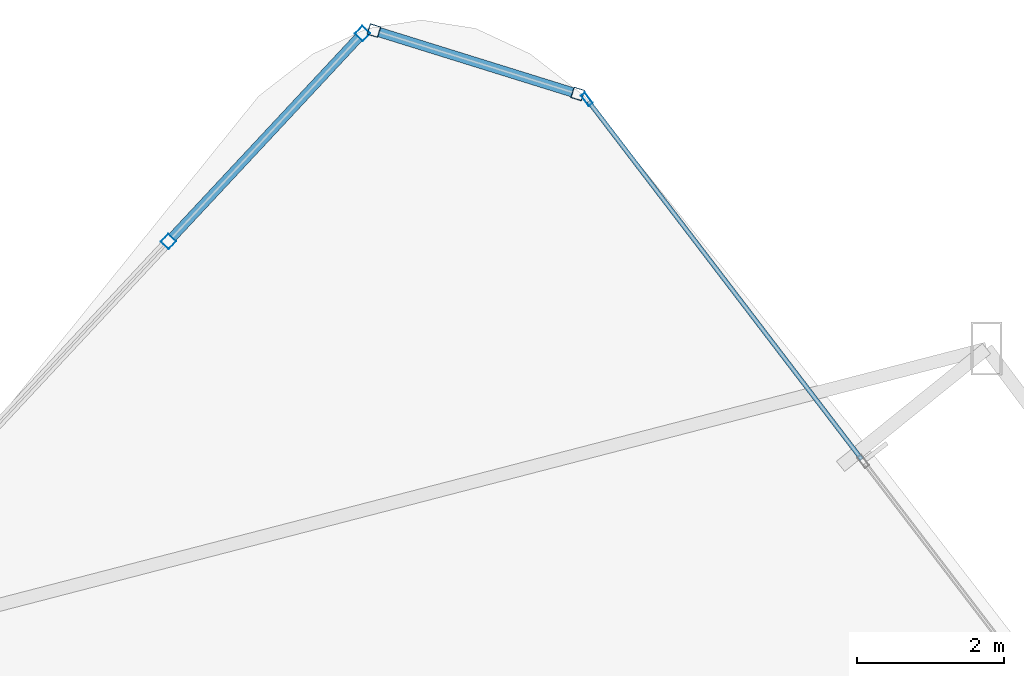
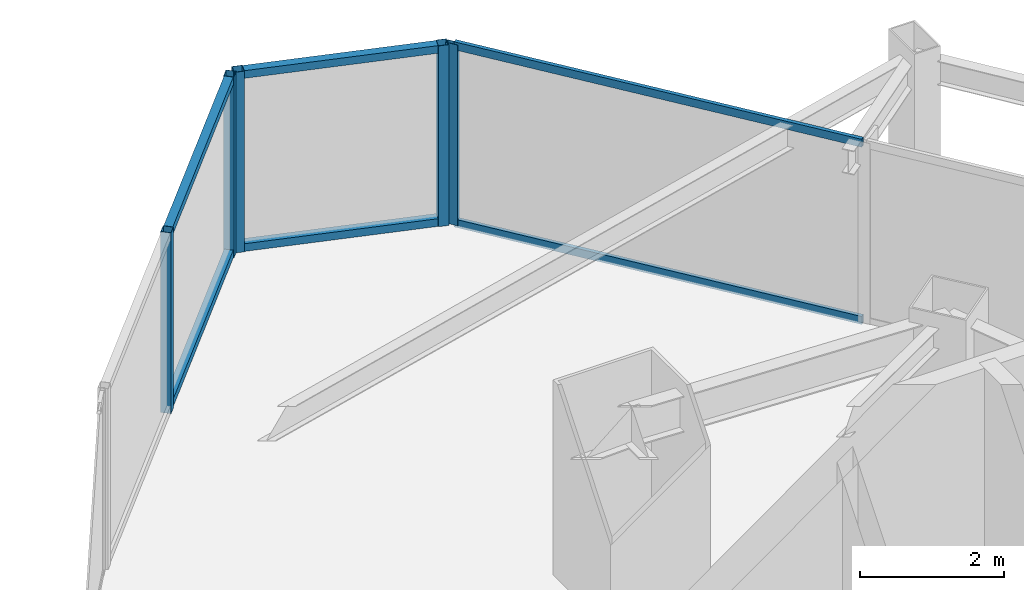
# One storey, part 24 of 34: 11 members, 3 elements without a shape of their own.
"""IFC4 building model written with IfcOpenShell, lengths in metres."""

from ifc_helpers import new_model, si_unit, direction, frame, origin, origin_2d, place, context, subcontext, project, spatial, hollow_rectangle, extrude, material, layer, layer_set, material_profile, profile_set, type_object, element, aggregate, save


model = new_model("IFC4")

# Units and contexts
model_context = context("Model", 3, precision=1e-05, world=origin(), true_north=direction((0.0, 1.0)))
body_context = subcontext(model_context, "Body", "Model", "MODEL_VIEW")
ifc_project = project(units=[si_unit("LENGTHUNIT", "METRE"), si_unit("AREAUNIT", "SQUARE_METRE"), si_unit("VOLUMEUNIT", "CUBIC_METRE"), si_unit("PLANEANGLEUNIT", "RADIAN"), si_unit("MASSUNIT", "GRAM", prefix="KILO")], contexts=[model_context])

# Site, building, storey
site_placement = place(None, origin())
site = spatial("IfcSite", under=ifc_project, at=site_placement, CompositionType="ELEMENT")
building_placement = place(site_placement, origin())
building = spatial("IfcBuilding", under=site, at=building_placement, Name="Orvanel Arch Residences", CompositionType="ELEMENT")
storey_placement = place(building_placement, frame((0.0, 0.0, 67.550048828125)))
storey = spatial("IfcBuildingStorey", under=building, at=storey_placement, Name="L18", CompositionType="ELEMENT", Elevation=67.550048828125)

# Curtain wall, members
ifc_material = material(Name="Bronze-anodised aluminium AA6063-T6", Category="aluminium")
ifc_layer_1 = layer(ifc_material, 0.18994140625)
ifc_layer_set_1 = layer_set([ifc_layer_1], Name="Bronze-anodised aluminium AA6063-T6")
curtain_wall_type_1 = type_object("IfcCurtainWallType", Name="CW5-CRN-SYS", PredefinedType="NOTDEFINED", material=ifc_layer_set_1)
curtain_wall_1_placement = place(storey_placement, origin())
curtain_wall_1 = element("IfcCurtainWall", 1, at=curtain_wall_1_placement, inside=storey, type_object=curtain_wall_type_1, Name="L18 CW5-CRN-SYS Unitised Curtain Wall", PredefinedType="NOTDEFINED")
ifc_material_profile_1 = material_profile(ifc_material, hollow_rectangle(XDim=0.14990234375, YDim=0.14990234375, WallThickness=0.0048828125, at=origin_2d()), Name="ALU150x150x5")
ifc_profile_set_1 = profile_set([ifc_material_profile_1], Name="Bronze-anodised aluminium AA6063-T6")
member_type_1 = type_object("IfcMemberType", Name="MUL-150x150", PredefinedType="MULLION", material=ifc_profile_set_1)
member_1_placement = place(storey_placement, frame((35.124267578125, 50.331298828125, 0.0), z_axis=(0.0, 0.0, 1.0), x_axis=(-0.297099736477, -0.954846451837, 0.0)))
member_1 = element("IfcMember", 2, at=member_1_placement, type_object=member_type_1, Name="CW-S5 mullion 1", PredefinedType="MULLION", context=body_context, shape_type="SweptSolid", body=[
    extrude(hollow_rectangle(XDim=0.14990234375, YDim=0.14990234375, WallThickness=0.0048828125, at=origin_2d()), origin(), (0.0, 0.0, 1.0), 3.06005859375),
])
member_2_placement = place(storey_placement, frame((32.3525390625, 51.193603515625, 0.0), z_axis=(0.0, 0.0, 1.0), x_axis=(-0.297099736477, -0.954846451837, 0.0)))
member_2 = element("IfcMember", 3, at=member_2_placement, type_object=member_type_1, Name="CW-S5 mullion 2", PredefinedType="MULLION", context=body_context, shape_type="SweptSolid", body=[
    extrude(hollow_rectangle(XDim=0.14990234375, YDim=0.14990234375, WallThickness=0.0048828125, at=origin_2d()), origin(), (0.0, 0.0, 1.0), 3.06005859375),
])

curtain_wall_2_placement = place(storey_placement, origin())
curtain_wall_2 = element("IfcCurtainWall", 4, at=curtain_wall_2_placement, inside=storey, type_object=curtain_wall_type_1, Name="L18 CW5-CRN-SYS Unitised Curtain Wall", PredefinedType="NOTDEFINED")
member_3_placement = place(storey_placement, frame((32.19677734375, 51.152099609375, 0.0), z_axis=(0.0, 0.0, 1.0), x_axis=(0.731034183828, -0.682340840105, 0.0)))
member_3 = element("IfcMember", 5, at=member_3_placement, type_object=member_type_1, Name="CW-S5 mullion 1", PredefinedType="MULLION", context=body_context, shape_type="SweptSolid", body=[
    extrude(hollow_rectangle(XDim=0.14990234375, YDim=0.14990234375, WallThickness=0.0048828125, at=origin_2d()), origin(), (0.0, 0.0, 1.0), 3.06005859375),
])
member_4_placement = place(storey_placement, frame((29.5576171875, 48.324462890625, 0.0), z_axis=(0.0, 0.0, 1.0), x_axis=(0.731034183828, -0.682340840105, 0.0)))
member_4 = element("IfcMember", 6, at=member_4_placement, type_object=member_type_1, Name="CW-S5 mullion 2", PredefinedType="MULLION", context=body_context, shape_type="SweptSolid", body=[
    extrude(hollow_rectangle(XDim=0.14990234375, YDim=0.14990234375, WallThickness=0.0048828125, at=origin_2d()), origin(), (0.0, 0.0, 1.0), 3.06005859375),
])

# Curtain wall, member
ifc_layer_2 = layer(ifc_material, 0.179931640625)
ifc_layer_set_2 = layer_set([ifc_layer_2], Name="Bronze-anodised aluminium AA6063-T6")
curtain_wall_type_2 = type_object("IfcCurtainWallType", Name="CW2-LOW-SYS", PredefinedType="NOTDEFINED", material=ifc_layer_set_2)
curtain_wall_3_placement = place(storey_placement, origin())
curtain_wall_3 = element("IfcCurtainWall", 7, at=curtain_wall_3_placement, inside=storey, type_object=curtain_wall_type_2, Name="L18 CW2-LOW-SYS Unitised Curtain Wall", PredefinedType="NOTDEFINED")
ifc_material_profile_2 = material_profile(ifc_material, hollow_rectangle(XDim=0.070068359375, YDim=0.179931640625, WallThickness=0.00439453125, at=origin_2d()), Name="ALU180x70x4.5")
ifc_profile_set_2 = profile_set([ifc_material_profile_2], Name="Bronze-anodised aluminium AA6063-T6")
member_type_2 = type_object("IfcMemberType", Name="MUL-180x70", PredefinedType="MULLION", material=ifc_profile_set_2)
member_5_placement = place(storey_placement, frame((35.248291015625, 50.25927734375, 0.0), z_axis=(0.0, 0.0, 1.0), x_axis=(-0.794898267581, -0.606742733122, 0.0)))
member_5 = element("IfcMember", 8, at=member_5_placement, type_object=member_type_2, Name="CW-S2 mullion 4", PredefinedType="MULLION", context=body_context, shape_type="SweptSolid", body=[
    extrude(hollow_rectangle(XDim=0.070068359375, YDim=0.179931640625, WallThickness=0.00439453125, at=origin_2d()), origin(), (0.0, 0.0, 1.0), 3.06005859375),
])

# Member
ifc_material_profile_3 = material_profile(ifc_material, hollow_rectangle(XDim=0.1298828125, YDim=0.1298828125, WallThickness=0.00439453125, at=origin_2d()), Name="ALU130x130x4.5")
ifc_profile_set_3 = profile_set([ifc_material_profile_3], Name="Bronze-anodised aluminium AA6063-T6")
member_type_3 = type_object("IfcMemberType", Name="TRN-130x130", PredefinedType="USERDEFINED", material=ifc_profile_set_3)
member_6_placement = place(storey_placement, frame((35.052734375, 50.353515625, 0.06494140625), z_axis=(-0.954842239685, 0.297113273541, 0.0), x_axis=(-0.297113273541, -0.954842239685, 0.0)))
member_6 = element("IfcMember", 9, at=member_6_placement, type_object=member_type_3, Name="CW-S5 transom 1.1", ObjectType="TRANSOM", PredefinedType="USERDEFINED", context=body_context, shape_type="SweptSolid", body=[
    extrude(hollow_rectangle(XDim=0.1298828125, YDim=0.1298828125, WallThickness=0.00439453125, at=origin_2d()), origin(), (0.0, 0.0, 1.0), 2.752685546875),
])

member_7_placement = place(storey_placement, frame((35.052734375, 50.353515625, 2.994873046875), z_axis=(-0.954842239685, 0.297113273541, 0.0), x_axis=(-0.297113273541, -0.954842239685, 0.0)))
member_7 = element("IfcMember", 10, at=member_7_placement, type_object=member_type_3, Name="CW-S5 transom 1.2", ObjectType="TRANSOM", PredefinedType="USERDEFINED", context=body_context, shape_type="SweptSolid", body=[
    extrude(hollow_rectangle(XDim=0.1298828125, YDim=0.1298828125, WallThickness=0.00439453125, at=origin_2d()), origin(), (0.0, 0.0, 1.0), 2.752685546875),
])

aggregate(curtain_wall_1, [member_1, member_2, member_6, member_7])

member_8_placement = place(storey_placement, frame((32.145751953125, 51.097412109375, 0.06494140625), z_axis=(-0.682360360302, -0.731015963361, 0.0), x_axis=(0.731015963361, -0.682360360302, 0.0)))
member_8 = element("IfcMember", 11, at=member_8_placement, type_object=member_type_3, Name="CW-S5 transom 1.1", ObjectType="TRANSOM", PredefinedType="USERDEFINED", context=body_context, shape_type="SweptSolid", body=[
    extrude(hollow_rectangle(XDim=0.1298828125, YDim=0.1298828125, WallThickness=0.00439453125, at=origin_2d()), origin(), (0.0, 0.0, 1.0), 3.718017578125),
])

member_9_placement = place(storey_placement, frame((32.145751953125, 51.097412109375, 2.994873046875), z_axis=(-0.682360360302, -0.731015963361, 0.0), x_axis=(0.731015963361, -0.682360360302, 0.0)))
member_9 = element("IfcMember", 12, at=member_9_placement, type_object=member_type_3, Name="CW-S5 transom 1.2", ObjectType="TRANSOM", PredefinedType="USERDEFINED", context=body_context, shape_type="SweptSolid", body=[
    extrude(hollow_rectangle(XDim=0.1298828125, YDim=0.1298828125, WallThickness=0.00439453125, at=origin_2d()), origin(), (0.0, 0.0, 1.0), 3.718017578125),
])

aggregate(curtain_wall_2, [member_3, member_4, member_8, member_9])

ifc_material_profile_4 = material_profile(ifc_material, hollow_rectangle(XDim=0.06005859375, YDim=0.135009765625, WallThickness=0.00390625, at=origin_2d()), Name="ALU135x60x4")
ifc_profile_set_4 = profile_set([ifc_material_profile_4], Name="Bronze-anodised aluminium AA6063-T6")
member_type_4 = type_object("IfcMemberType", Name="TRN-135x60", PredefinedType="USERDEFINED", material=ifc_profile_set_4)
member_10_placement = place(storey_placement, frame((38.985107421875, 45.363525390625, 0.030029296875), z_axis=(-0.606733650024, 0.794905200593, 0.0), x_axis=(-0.794905200593, -0.606733650024, 0.0)))
member_10 = element("IfcMember", 13, at=member_10_placement, type_object=member_type_4, Name="CW-S2 transom 3.1", ObjectType="TRANSOM", PredefinedType="USERDEFINED", context=body_context, shape_type="SweptSolid", body=[
    extrude(hollow_rectangle(XDim=0.06005859375, YDim=0.135009765625, WallThickness=0.00390625, at=origin_2d()), origin(), (0.0, 0.0, 1.0), 6.123779296875),
])

member_11_placement = place(storey_placement, frame((38.985107421875, 45.363525390625, 3.030029296875), z_axis=(-0.606733650024, 0.794905200593, 0.0), x_axis=(-0.794905200593, -0.606733650024, 0.0)))
member_11 = element("IfcMember", 14, at=member_11_placement, type_object=member_type_4, Name="CW-S2 transom 3.2", ObjectType="TRANSOM", PredefinedType="USERDEFINED", context=body_context, shape_type="SweptSolid", body=[
    extrude(hollow_rectangle(XDim=0.06005859375, YDim=0.135009765625, WallThickness=0.00390625, at=origin_2d()), origin(), (0.0, 0.0, 1.0), 6.123779296875),
])

aggregate(curtain_wall_3, [member_5, member_10, member_11])

save(model, "model.ifc")
